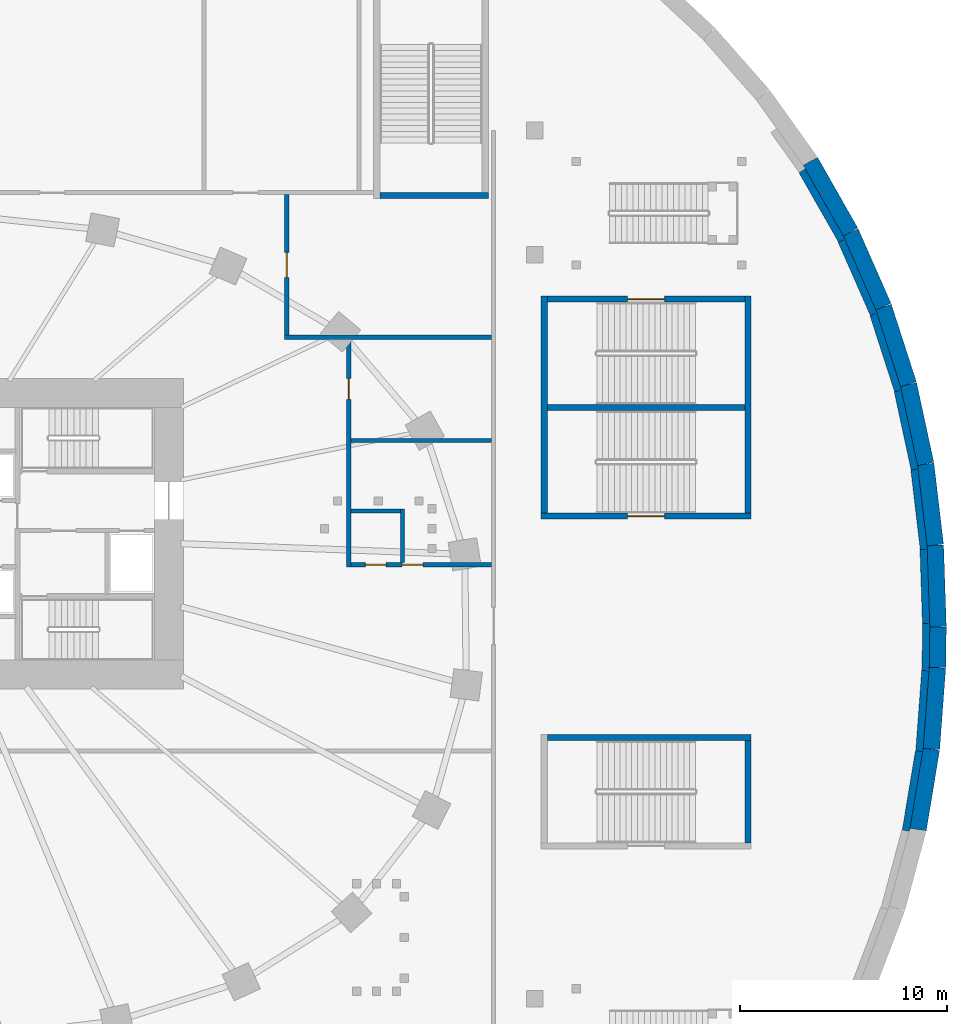
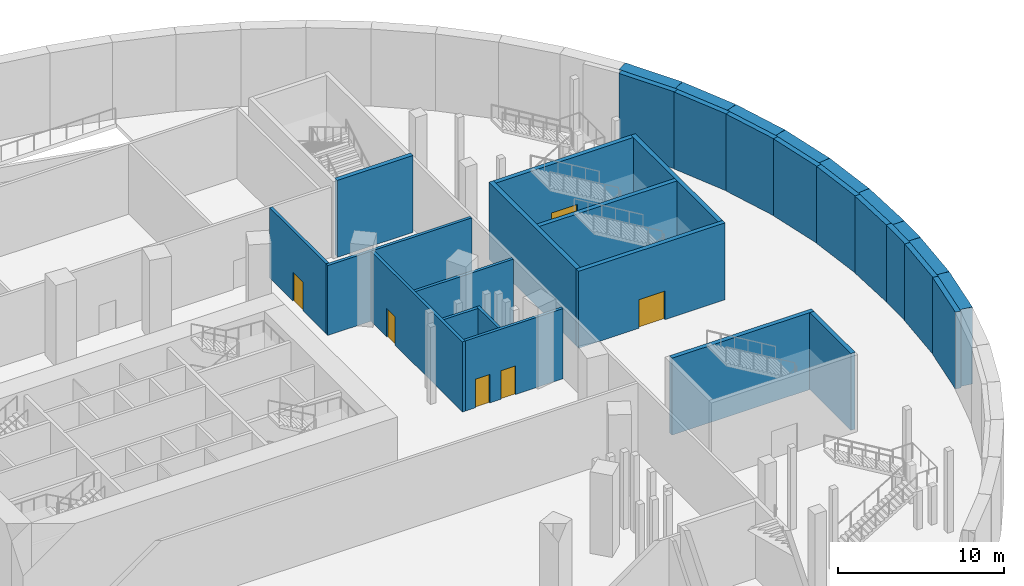
# One storey, part 8 of 19: 33 walls, 6 doors, 6 openings.
"""IFC4 building model written with IfcOpenShell, lengths in metres."""

from ifc_helpers import new_model, si_unit, direction, frame, frame_2d, origin, place, context, subcontext, project, spatial, rectangle, extrude, material, layer, layer_set, type_object, element, fill, save


model = new_model("IFC4")

# Units and contexts
model_context = context("Model", 3, precision=1e-05, world=origin(), true_north=direction((0.0, 1.0)))
body_context = subcontext(model_context, "Body", "Model", "MODEL_VIEW")
ifc_project = project(units=[si_unit("LENGTHUNIT", "METRE"), si_unit("AREAUNIT", "SQUARE_METRE"), si_unit("VOLUMEUNIT", "CUBIC_METRE"), si_unit("PLANEANGLEUNIT", "RADIAN"), si_unit("MASSUNIT", "GRAM", prefix="KILO")], contexts=[model_context])

# Site, building, storey
site_placement = place(None, origin())
site = spatial("IfcSite", under=ifc_project, at=site_placement, CompositionType="ELEMENT")
building_placement = place(site_placement, origin())
building = spatial("IfcBuilding", under=site, at=building_placement, Name="Rubra Terraces Tower", CompositionType="ELEMENT")
storey_placement = place(building_placement, frame((0.0, 0.0, -6.0)))
storey = spatial("IfcBuildingStorey", under=building, at=storey_placement, Name="B1", CompositionType="ELEMENT", Elevation=-6.0)

# Walls
ifc_material_1 = material(Name="Concrete C40", Category="concrete")
ifc_layer_1 = layer(ifc_material_1, 0.800048828125)
ifc_layer_set_1 = layer_set([ifc_layer_1], Name="Concrete C40")
wall_type_1 = type_object("IfcWallType", Name="BASEMENT WALL 800", PredefinedType="SOLIDWALL", material=ifc_layer_set_1)
wall_1_placement = place(storey_placement, frame((49.5, -0.00390625, 0.0), z_axis=(0.0, 0.0, 1.0), x_axis=(-0.01474436979, -0.999891295871, 0.0)))
element("IfcWall", 1, at=wall_1_placement, inside=storey, type_object=wall_type_1, Name="wall-B1-basement-001", PredefinedType="SOLIDWALL", context=body_context, shape_type="SweptSolid", body=[
    extrude(rectangle(XDim=1.970458984375, YDim=0.800048828125, at=frame_2d((0.9853515625, 0.0))), origin(), (0.0, 0.0, 1.0), 5.64990234375),
])
wall_2_placement = place(storey_placement, frame((49.470947265625, -1.97412109375, 0.0), z_axis=(0.0, 0.0, 1.0), x_axis=(-0.074099136605, -0.997250880147, 0.0)))
element("IfcWall", 2, at=wall_2_placement, inside=storey, type_object=wall_type_1, Name="wall-B1-basement-002", PredefinedType="SOLIDWALL", context=body_context, shape_type="SweptSolid", body=[
    extrude(rectangle(XDim=3.953857421875, YDim=0.800048828125, at=frame_2d((1.97705078125, 0.0))), origin(), (0.0, 0.0, 1.0), 5.64990234375),
])
wall_3_placement = place(storey_placement, frame((49.177978515625, -5.9169921875, 0.0), z_axis=(0.0, 0.0, 1.0), x_axis=(-0.163455839826, -0.986550651729, 0.0)))
element("IfcWall", 3, at=wall_3_placement, inside=storey, type_object=wall_type_1, Name="wall-B1-basement-003", PredefinedType="SOLIDWALL", context=body_context, shape_type="SweptSolid", body=[
    extrude(rectangle(XDim=3.946044921875, YDim=0.800048828125, at=frame_2d((1.97314453125, 0.0))), origin(), (0.0, 0.0, 1.0), 5.64990234375),
])
wall_4_placement = place(storey_placement, frame((43.320068359375, 22.513916015625, 0.0), z_axis=(0.0, 0.0, 1.0), x_axis=(0.494650889592, -0.869091765825, 0.0)))
element("IfcWall", 4, at=wall_4_placement, inside=storey, type_object=wall_type_1, Name="wall-B1-basement-070", PredefinedType="SOLIDWALL", context=body_context, shape_type="SweptSolid", body=[
    extrude(rectangle(XDim=3.942138671875, YDim=0.800048828125, at=frame_2d((1.97119140625, 0.0))), origin(), (0.0, 0.0, 1.0), 5.64990234375),
])
wall_5_placement = place(storey_placement, frame((45.27001953125, 19.087890625, 0.0), z_axis=(0.0, 0.0, 1.0), x_axis=(0.402825786485, -0.915276671691, 0.0)))
element("IfcWall", 5, at=wall_5_placement, inside=storey, type_object=wall_type_1, Name="wall-B1-basement-071", PredefinedType="SOLIDWALL", context=body_context, shape_type="SweptSolid", body=[
    extrude(rectangle(XDim=3.94189453125, YDim=0.800048828125, at=frame_2d((1.970947265625, 0.0))), origin(), (0.0, 0.0, 1.0), 5.64990234375),
])
wall_6_placement = place(storey_placement, frame((46.85791015625, 15.47998046875, 0.0), z_axis=(0.0, 0.0, 1.0), x_axis=(0.307131205026, -0.951667180741, 0.0)))
element("IfcWall", 6, at=wall_6_placement, inside=storey, type_object=wall_type_1, Name="wall-B1-basement-072", PredefinedType="SOLIDWALL", context=body_context, shape_type="SweptSolid", body=[
    extrude(rectangle(XDim=3.943603515625, YDim=0.800048828125, at=frame_2d((1.9716796875, 0.0))), origin(), (0.0, 0.0, 1.0), 5.64990234375),
])
wall_7_placement = place(storey_placement, frame((48.069091796875, 11.72705078125, 0.0), z_axis=(0.0, 0.0, 1.0), x_axis=(0.211211318585, -0.977440422175, 0.0)))
element("IfcWall", 7, at=wall_7_placement, inside=storey, type_object=wall_type_1, Name="wall-B1-basement-073", PredefinedType="SOLIDWALL", context=body_context, shape_type="SweptSolid", body=[
    extrude(rectangle(XDim=3.94384765625, YDim=0.800048828125, at=frame_2d((1.971923828125, 0.0))), origin(), (0.0, 0.0, 1.0), 5.64990234375),
])
wall_8_placement = place(storey_placement, frame((48.902099609375, 7.8720703125, 0.0), z_axis=(0.0, 0.0, 1.0), x_axis=(0.117752618561, -0.99304296021, 0.0)))
element("IfcWall", 8, at=wall_8_placement, inside=storey, type_object=wall_type_1, Name="wall-B1-basement-074", PredefinedType="SOLIDWALL", context=body_context, shape_type="SweptSolid", body=[
    extrude(rectangle(XDim=3.947509765625, YDim=0.800048828125, at=frame_2d((1.9736328125, 0.0))), origin(), (0.0, 0.0, 1.0), 5.64990234375),
])
wall_9_placement = place(storey_placement, frame((49.366943359375, 3.951904296875, 0.0), z_axis=(0.0, 0.0, 1.0), x_axis=(0.03361673547, -0.999434797821, 0.0)))
element("IfcWall", 9, at=wall_9_placement, inside=storey, type_object=wall_type_1, Name="wall-B1-basement-075", PredefinedType="SOLIDWALL", context=body_context, shape_type="SweptSolid", body=[
    extrude(rectangle(XDim=3.9580078125, YDim=0.800048828125, at=frame_2d((1.97900390625, 0.0))), origin(), (0.0, 0.0, 1.0), 5.64990234375),
])

# Wall, opening, door
ifc_material_2 = material(Name="Blockwork", Category="masonry")
ifc_layer_2 = layer(ifc_material_2, 0.199951171875)
ifc_layer_set_2 = layer_set([ifc_layer_2], Name="Blockwork")
wall_type_2 = type_object("IfcWallType", Name="Corridor partition 200 blockwork", PredefinedType="PARTITIONING", material=ifc_layer_set_2)
wall_10_placement = place(storey_placement, frame((21.0, 13.89990234375, 0.0), z_axis=(0.0, 0.0, 1.0), x_axis=(0.0, -1.0, 0.0)))
wall_10 = element("IfcWall", 10, at=wall_10_placement, inside=storey, type_object=wall_type_2, Name="Partition wall", PredefinedType="PARTITIONING", context=body_context, shape_type="SweptSolid", body=[
    extrude(rectangle(XDim=11.0, YDim=0.199951171875, at=frame_2d((5.5, 0.0))), origin(), (0.0, 0.0, 1.0), 5.14794921875),
])
opening_1_placement = place(wall_10_placement, frame((1.89990234375, 0.0, 0.0)))
opening_1 = element("IfcOpeningElement", 11, at=opening_1_placement, cuts=wall_10, Name="Opening DB1", PredefinedType="OPENING", context=body_context, shape_type="SweptSolid", body=[
    extrude(rectangle(XDim=1.0, YDim=2.10009765625, at=frame_2d((0.5, 1.050048828125))), frame((0.0, 0.10986328125, 0.0), z_axis=(0.0, -1.0, 0.0), x_axis=(1.0, 0.0, 0.0)), (0.0, 0.0, 1.0), 0.219970703125),
])
ifc_material_3 = material(Name="Painted timber", Category="wood")
door_type_1 = type_object("IfcDoorType", Name="Door 1000x2100 single", OperationType="NOTDEFINED", PredefinedType="DOOR", material=ifc_material_3)
door_1_placement = place(opening_1_placement, origin())
door_1 = element("IfcDoor", 12, at=door_1_placement, inside=storey, type_object=door_type_1, Name="Door B1-10", OperationType="SINGLE_SWING_LEFT", OverallHeight=2.10009765625, OverallWidth=1.0, PredefinedType="DOOR", context=body_context, shape_type="SweptSolid", body=[
    extrude(rectangle(XDim=1.0, YDim=2.10009765625, at=frame_2d((0.5, 1.050048828125))), frame((0.0, 0.02490234375, 0.0), z_axis=(0.0, -1.0, 0.0), x_axis=(1.0, 0.0, 0.0)), (0.0, 0.0, 1.0), 0.050048828125),
])
fill(opening_1, door_1)

wall_11_placement = place(storey_placement, frame((18.0, 14.10009765625, 0.0), z_axis=(0.0, 0.0, 1.0), x_axis=(0.0, 1.0, 0.0)))
wall_11 = element("IfcWall", 13, at=wall_11_placement, inside=storey, type_object=wall_type_2, Name="Partition wall", PredefinedType="PARTITIONING", context=body_context, shape_type="SweptSolid", body=[
    extrude(rectangle(XDim=6.7998046875, YDim=0.199951171875, at=frame_2d((3.39990234375, 0.0))), origin(), (0.0, 0.0, 1.0), 5.14794921875),
])
opening_2_placement = place(wall_11_placement, frame((2.800048828125, 0.0, 0.0)))
opening_2 = element("IfcOpeningElement", 14, at=opening_2_placement, cuts=wall_11, Name="Opening DB7", PredefinedType="OPENING", context=body_context, shape_type="SweptSolid", body=[
    extrude(rectangle(XDim=1.199951171875, YDim=2.10009765625, at=frame_2d((0.60009765625, 1.050048828125))), frame((0.0, 0.10986328125, 0.0), z_axis=(0.0, -1.0, 0.0), x_axis=(1.0, 0.0, 0.0)), (0.0, 0.0, 1.0), 0.219970703125),
])
door_type_2 = type_object("IfcDoorType", Name="Door 1200x2100 single", OperationType="NOTDEFINED", PredefinedType="DOOR", material=ifc_material_3)
door_2_placement = place(opening_2_placement, origin())
door_2 = element("IfcDoor", 15, at=door_2_placement, inside=storey, type_object=door_type_2, Name="Door B1-13", OperationType="SINGLE_SWING_LEFT", OverallHeight=2.10009765625, OverallWidth=1.199951171875, PredefinedType="DOOR", context=body_context, shape_type="SweptSolid", body=[
    extrude(rectangle(XDim=1.199951171875, YDim=2.10009765625, at=frame_2d((0.60009765625, 1.050048828125))), frame((0.0, 0.02490234375, 0.0), z_axis=(0.0, -1.0, 0.0), x_axis=(1.0, 0.0, 0.0)), (0.0, 0.0, 1.0), 0.050048828125),
])
fill(opening_2, door_2)

# Wall, openings, doors
wall_12_placement = place(storey_placement, frame((21.10009765625, 3.0, 0.0), z_axis=(0.0, 0.0, 1.0), x_axis=(1.0, 0.0, 0.0)))
wall_12 = element("IfcWall", 16, at=wall_12_placement, inside=storey, type_object=wall_type_2, Name="Partition wall", PredefinedType="PARTITIONING", context=body_context, shape_type="SweptSolid", body=[
    extrude(rectangle(XDim=6.7998046875, YDim=0.199951171875, at=frame_2d((3.39990234375, 0.0))), origin(), (0.0, 0.0, 1.0), 5.14794921875),
])
opening_3_placement = place(wall_12_placement, frame((0.699951171875, 0.0, 0.0)))
opening_3 = element("IfcOpeningElement", 17, at=opening_3_placement, cuts=wall_12, Name="Opening DB1", PredefinedType="OPENING", context=body_context, shape_type="SweptSolid", body=[
    extrude(rectangle(XDim=1.0, YDim=2.10009765625, at=frame_2d((0.5, 1.050048828125))), frame((0.0, 0.10986328125, 0.0), z_axis=(0.0, -1.0, 0.0), x_axis=(1.0, 0.0, 0.0)), (0.0, 0.0, 1.0), 0.219970703125),
])
opening_4_placement = place(wall_12_placement, frame((2.48291015625, 0.0, 0.0)))
opening_4 = element("IfcOpeningElement", 18, at=opening_4_placement, cuts=wall_12, Name="Opening DB1", PredefinedType="OPENING", context=body_context, shape_type="SweptSolid", body=[
    extrude(rectangle(XDim=1.0, YDim=2.10009765625, at=frame_2d((0.5, 1.050048828125))), frame((0.0, 0.10986328125, 0.0), z_axis=(0.0, -1.0, 0.0), x_axis=(1.0, 0.0, 0.0)), (0.0, 0.0, 1.0), 0.219970703125),
])
door_3_placement = place(opening_3_placement, origin())
door_3 = element("IfcDoor", 19, at=door_3_placement, inside=storey, type_object=door_type_1, Name="Door B1-11", OperationType="SINGLE_SWING_LEFT", OverallHeight=2.10009765625, OverallWidth=1.0, PredefinedType="DOOR", context=body_context, shape_type="SweptSolid", body=[
    extrude(rectangle(XDim=1.0, YDim=2.10009765625, at=frame_2d((0.5, 1.050048828125))), frame((0.0, 0.02490234375, 0.0), z_axis=(0.0, -1.0, 0.0), x_axis=(1.0, 0.0, 0.0)), (0.0, 0.0, 1.0), 0.050048828125),
])
fill(opening_3, door_3)
door_4_placement = place(opening_4_placement, origin())
door_4 = element("IfcDoor", 20, at=door_4_placement, inside=storey, type_object=door_type_1, Name="Door B1-15", OperationType="SINGLE_SWING_LEFT", OverallHeight=2.10009765625, OverallWidth=1.0, PredefinedType="DOOR", context=body_context, shape_type="SweptSolid", body=[
    extrude(rectangle(XDim=1.0, YDim=2.10009765625, at=frame_2d((0.5, 1.050048828125))), frame((0.0, 0.02490234375, 0.0), z_axis=(0.0, -1.0, 0.0), x_axis=(1.0, 0.0, 0.0)), (0.0, 0.0, 1.0), 0.050048828125),
])
fill(opening_4, door_4)

# Walls
ifc_material_4 = material(Name="Concrete C40/50", Category="concrete")
ifc_layer_3 = layer(ifc_material_4, 0.35009765625)
ifc_layer_set_3 = layer_set([ifc_layer_3], Name="Concrete C40/50")
wall_type_3 = type_object("IfcWallType", Name="Retaining liner wall 350 concrete", PredefinedType="SOLIDWALL", material=ifc_layer_set_3)
wall_13_placement = place(storey_placement, frame((48.927978515625, 0.166015625, 0.0), z_axis=(0.0, 0.0, 1.0), x_axis=(-0.014817136525, -0.999890220207, 0.0)))
element("IfcWall", 21, at=wall_13_placement, inside=storey, type_object=wall_type_3, Name="Retaining liner wall", PredefinedType="SOLIDWALL", context=body_context, shape_type="SweptSolid", body=[
    extrude(rectangle(XDim=2.290283203125, YDim=0.35009765625, at=frame_2d((1.14501953125, 0.0))), origin(), (0.0, 0.0, 1.0), 5.64990234375),
])
wall_14_placement = place(storey_placement, frame((48.884033203125, -2.1240234375, 0.0), z_axis=(0.0, 0.0, 1.0), x_axis=(-0.074166028436, -0.997245907601, 0.0)))
element("IfcWall", 22, at=wall_14_placement, inside=storey, type_object=wall_type_3, Name="Retaining liner wall", PredefinedType="SOLIDWALL", context=body_context, shape_type="SweptSolid", body=[
    extrude(rectangle(XDim=3.91064453125, YDim=0.35009765625, at=frame_2d((1.955322265625, 0.0))), origin(), (0.0, 0.0, 1.0), 5.64990234375),
])
wall_15_placement = place(storey_placement, frame((48.577880859375, -6.02197265625, 0.0), z_axis=(0.0, 0.0, 1.0), x_axis=(-0.163676638442, -0.986514043503, 0.0)))
element("IfcWall", 23, at=wall_15_placement, inside=storey, type_object=wall_type_3, Name="Retaining liner wall", PredefinedType="SOLIDWALL", context=body_context, shape_type="SweptSolid", body=[
    extrude(rectangle(XDim=3.8916015625, YDim=0.35009765625, at=frame_2d((1.94580078125, 0.0))), origin(), (0.0, 0.0, 1.0), 5.64990234375),
])
wall_16_placement = place(storey_placement, frame((42.9208984375, 22.052001953125, 0.0), z_axis=(0.0, 0.0, 1.0), x_axis=(0.494886084707, -0.868957860407, 0.0)))
element("IfcWall", 24, at=wall_16_placement, inside=storey, type_object=wall_type_3, Name="Retaining liner wall", PredefinedType="SOLIDWALL", context=body_context, shape_type="SweptSolid", body=[
    extrude(rectangle(XDim=3.884033203125, YDim=0.35009765625, at=frame_2d((1.94189453125, 0.0))), origin(), (0.0, 0.0, 1.0), 5.64990234375),
])
wall_17_placement = place(storey_placement, frame((44.825927734375, 18.6689453125, 0.0), z_axis=(0.0, 0.0, 1.0), x_axis=(0.402576343075, -0.915386414579, 0.0)))
element("IfcWall", 25, at=wall_17_placement, inside=storey, type_object=wall_type_3, Name="Retaining liner wall", PredefinedType="SOLIDWALL", context=body_context, shape_type="SweptSolid", body=[
    extrude(rectangle(XDim=3.882568359375, YDim=0.35009765625, at=frame_2d((1.94140625, 0.0))), origin(), (0.0, 0.0, 1.0), 5.64990234375),
])
wall_18_placement = place(storey_placement, frame((46.373046875, 15.10791015625, 0.0), z_axis=(0.0, 0.0, 1.0), x_axis=(0.307296540479, -0.951613806231, 0.0)))
element("IfcWall", 26, at=wall_18_placement, inside=storey, type_object=wall_type_3, Name="Retaining liner wall", PredefinedType="SOLIDWALL", context=body_context, shape_type="SweptSolid", body=[
    extrude(rectangle(XDim=3.885009765625, YDim=0.35009765625, at=frame_2d((1.9423828125, 0.0))), origin(), (0.0, 0.0, 1.0), 5.64990234375),
])
wall_19_placement = place(storey_placement, frame((47.550048828125, 11.406982421875, 0.0), z_axis=(0.0, 0.0, 1.0), x_axis=(0.211136643088, -0.977456555528, 0.0)))
element("IfcWall", 27, at=wall_19_placement, inside=storey, type_object=wall_type_3, Name="Retaining liner wall", PredefinedType="SOLIDWALL", context=body_context, shape_type="SweptSolid", body=[
    extrude(rectangle(XDim=3.888671875, YDim=0.35009765625, at=frame_2d((1.9443359375, 0.0))), origin(), (0.0, 0.0, 1.0), 5.64990234375),
])
wall_20_placement = place(storey_placement, frame((48.35498046875, 7.60302734375, 0.0), z_axis=(0.0, 0.0, 1.0), x_axis=(0.117800983167, -0.993037224058, 0.0)))
element("IfcWall", 28, at=wall_20_placement, inside=storey, type_object=wall_type_3, Name="Retaining liner wall", PredefinedType="SOLIDWALL", context=body_context, shape_type="SweptSolid", body=[
    extrude(rectangle(XDim=3.896240234375, YDim=0.35009765625, at=frame_2d((1.9482421875, 0.0))), origin(), (0.0, 0.0, 1.0), 5.64990234375),
])
wall_21_placement = place(storey_placement, frame((48.799072265625, 3.73291015625, 0.0), z_axis=(0.0, 0.0, 1.0), x_axis=(0.033588155888, -0.999435758708, 0.0)))
element("IfcWall", 29, at=wall_21_placement, inside=storey, type_object=wall_type_3, Name="Retaining liner wall", PredefinedType="SOLIDWALL", context=body_context, shape_type="SweptSolid", body=[
    extrude(rectangle(XDim=3.56884765625, YDim=0.35009765625, at=frame_2d((1.784423828125, 0.0))), origin(), (0.0, 0.0, 1.0), 5.64990234375),
])
ifc_layer_4 = layer(ifc_material_2, 0.199951171875)
ifc_layer_set_4 = layer_set([ifc_layer_4], Name="Blockwork")
wall_type_4 = type_object("IfcWallType", Name="Room partition 200 blockwork", PredefinedType="PARTITIONING", material=ifc_layer_set_4)
wall_22_placement = place(storey_placement, frame((27.89990234375, 14.0, 0.0), z_axis=(0.0, 0.0, 1.0), x_axis=(-1.0, 0.0, 0.0)))
element("IfcWall", 30, at=wall_22_placement, inside=storey, type_object=wall_type_4, Name="Partition wall", PredefinedType="PARTITIONING", context=body_context, shape_type="SweptSolid", body=[
    extrude(rectangle(XDim=10.0, YDim=0.199951171875, at=frame_2d((5.0, 0.0))), origin(), (0.0, 0.0, 1.0), 5.134033203125),
])
wall_23_placement = place(storey_placement, frame((21.10009765625, 9.0, 0.0), z_axis=(0.0, 0.0, 1.0), x_axis=(1.0, 0.0, 0.0)))
element("IfcWall", 31, at=wall_23_placement, inside=storey, type_object=wall_type_4, Name="Partition wall", PredefinedType="PARTITIONING", context=body_context, shape_type="SweptSolid", body=[
    extrude(rectangle(XDim=6.7998046875, YDim=0.199951171875, at=frame_2d((3.39990234375, 0.0))), origin(), (0.0, 0.0, 1.0), 5.134033203125),
])
wall_24_placement = place(storey_placement, frame((23.60009765625, 3.10009765625, 0.0), z_axis=(0.0, 0.0, 1.0), x_axis=(0.0, 1.0, 0.0)))
element("IfcWall", 32, at=wall_24_placement, inside=storey, type_object=wall_type_4, Name="Partition wall", PredefinedType="PARTITIONING", context=body_context, shape_type="SweptSolid", body=[
    extrude(rectangle(XDim=2.599853515625, YDim=0.199951171875, at=frame_2d((1.2998046875, 0.0))), origin(), (0.0, 0.0, 1.0), 5.134033203125),
])
wall_25_placement = place(storey_placement, frame((23.5, 5.60009765625, 0.0), z_axis=(0.0, 0.0, 1.0), x_axis=(-1.0, 0.0, 0.0)))
element("IfcWall", 33, at=wall_25_placement, inside=storey, type_object=wall_type_4, Name="Partition wall", PredefinedType="PARTITIONING", context=body_context, shape_type="SweptSolid", body=[
    extrude(rectangle(XDim=2.39990234375, YDim=0.199951171875, at=frame_2d((1.199951171875, 0.0))), origin(), (0.0, 0.0, 1.0), 5.134033203125),
])
ifc_layer_5 = layer(ifc_material_4, 0.300048828125)
ifc_layer_set_5 = layer_set([ifc_layer_5], Name="Concrete C40/50")
wall_type_5 = type_object("IfcWallType", Name="Stair shaft wall 300 concrete", PredefinedType="SOLIDWALL", material=ifc_layer_set_5)
wall_26_placement = place(storey_placement, frame((22.5, 20.85009765625, 0.0), z_axis=(0.0, 0.0, 1.0), x_axis=(1.0, 0.0, 0.0)))
element("IfcWall", 34, at=wall_26_placement, inside=storey, type_object=wall_type_5, Name="Stair shaft wall", PredefinedType="SOLIDWALL", context=body_context, shape_type="SweptSolid", body=[
    extrude(rectangle(XDim=5.25, YDim=0.300048828125, at=frame_2d((2.625, 0.0))), origin(), (0.0, 0.0, 1.0), 5.64990234375),
])

# Wall, opening, door
wall_27_placement = place(storey_placement, frame((40.4599609375, 5.35009765625, 0.0), z_axis=(0.0, 0.0, 1.0), x_axis=(-1.0, 0.0, 0.0)))
wall_27 = element("IfcWall", 35, at=wall_27_placement, inside=storey, type_object=wall_type_5, Name="Stair shaft wall", PredefinedType="SOLIDWALL", context=body_context, shape_type="SweptSolid", body=[
    extrude(rectangle(XDim=10.159912109375, YDim=0.300048828125, at=frame_2d((5.080078125, 0.0))), origin(), (0.0, 0.0, 1.0), 5.64990234375),
])
opening_5_placement = place(wall_27_placement, frame((4.179931640625, 0.0, 0.0)))
opening_5 = element("IfcOpeningElement", 36, at=opening_5_placement, cuts=wall_27, Name="Opening DB3", PredefinedType="OPENING", context=body_context, shape_type="SweptSolid", body=[
    extrude(rectangle(XDim=1.800048828125, YDim=2.10009765625, at=frame_2d((0.89990234375, 1.050048828125))), frame((0.0, 0.159912109375, 0.0), z_axis=(0.0, -1.0, 0.0), x_axis=(1.0, 0.0, 0.0)), (0.0, 0.0, 1.0), 0.320068359375),
])
ifc_material_5 = material(Name="Painted steel", Category="steel")
door_type_3 = type_object("IfcDoorType", Name="Door 1800x2100 double", OperationType="NOTDEFINED", PredefinedType="DOOR", material=ifc_material_5)
door_5_placement = place(opening_5_placement, origin())
door_5 = element("IfcDoor", 37, at=door_5_placement, inside=storey, type_object=door_type_3, Name="Stair door B1-16", OperationType="DOUBLE_DOOR_SINGLE_SWING", OverallHeight=2.10009765625, OverallWidth=1.800048828125, PredefinedType="DOOR", context=body_context, shape_type="SweptSolid", body=[
    extrude(rectangle(XDim=1.800048828125, YDim=2.10009765625, at=frame_2d((0.89990234375, 1.050048828125))), frame((0.0, 0.02490234375, 0.0), z_axis=(0.0, -1.0, 0.0), x_axis=(1.0, 0.0, 0.0)), (0.0, 0.0, 1.0), 0.050048828125),
])
fill(opening_5, door_5)

# Walls
wall_28_placement = place(storey_placement, frame((30.449951171875, 5.5, 0.0), z_axis=(0.0, 0.0, 1.0), x_axis=(0.0, 1.0, 0.0)))
element("IfcWall", 38, at=wall_28_placement, inside=storey, type_object=wall_type_5, Name="Stair shaft wall", PredefinedType="SOLIDWALL", context=body_context, shape_type="SweptSolid", body=[
    extrude(rectangle(XDim=10.5, YDim=0.300048828125, at=frame_2d((5.25, 0.0))), origin(), (0.0, 0.0, 1.0), 5.64990234375),
])
wall_29_placement = place(storey_placement, frame((30.60009765625, 10.60009765625, 0.0), z_axis=(0.0, 0.0, 1.0), x_axis=(1.0, 0.0, 0.0)))
element("IfcWall", 39, at=wall_29_placement, inside=storey, type_object=wall_type_5, Name="Stair shaft wall", PredefinedType="SOLIDWALL", context=body_context, shape_type="SweptSolid", body=[
    extrude(rectangle(XDim=9.559814453125, YDim=0.300048828125, at=frame_2d((4.77978515625, 0.0))), origin(), (0.0, 0.0, 1.0), 5.64990234375),
])
wall_30_placement = place(storey_placement, frame((40.31005859375, 16.0, 0.0), z_axis=(0.0, 0.0, 1.0), x_axis=(0.0, -1.0, 0.0)))
element("IfcWall", 40, at=wall_30_placement, inside=storey, type_object=wall_type_5, Name="Stair shaft wall", PredefinedType="SOLIDWALL", context=body_context, shape_type="SweptSolid", body=[
    extrude(rectangle(XDim=10.5, YDim=0.300048828125, at=frame_2d((5.25, 0.0))), origin(), (0.0, 0.0, 1.0), 5.64990234375),
])
wall_31_placement = place(storey_placement, frame((30.60009765625, -5.35009765625, 0.0), z_axis=(0.0, 0.0, 1.0), x_axis=(1.0, 0.0, 0.0)))
element("IfcWall", 41, at=wall_31_placement, inside=storey, type_object=wall_type_5, Name="Stair shaft wall", PredefinedType="SOLIDWALL", context=body_context, shape_type="SweptSolid", body=[
    extrude(rectangle(XDim=9.85986328125, YDim=0.300048828125, at=frame_2d((4.929931640625, 0.0))), origin(), (0.0, 0.0, 1.0), 5.64990234375),
])
wall_32_placement = place(storey_placement, frame((40.31005859375, -5.5, 0.0), z_axis=(0.0, 0.0, 1.0), x_axis=(0.0, -1.0, 0.0)))
element("IfcWall", 42, at=wall_32_placement, inside=storey, type_object=wall_type_5, Name="Stair shaft wall", PredefinedType="SOLIDWALL", context=body_context, shape_type="SweptSolid", body=[
    extrude(rectangle(XDim=4.949951171875, YDim=0.300048828125, at=frame_2d((2.47509765625, 0.0))), origin(), (0.0, 0.0, 1.0), 5.64990234375),
])

# Wall, opening, door
wall_33_placement = place(storey_placement, frame((30.60009765625, 15.85009765625, 0.0), z_axis=(0.0, 0.0, 1.0), x_axis=(1.0, 0.0, 0.0)))
wall_33 = element("IfcWall", 43, at=wall_33_placement, inside=storey, type_object=wall_type_5, Name="Stair shaft wall", PredefinedType="SOLIDWALL", context=body_context, shape_type="SweptSolid", body=[
    extrude(rectangle(XDim=9.559814453125, YDim=0.300048828125, at=frame_2d((4.77978515625, 0.0))), origin(), (0.0, 0.0, 1.0), 5.64990234375),
])
opening_6_placement = place(wall_33_placement, frame((3.8798828125, 0.0, 0.0)))
opening_6 = element("IfcOpeningElement", 44, at=opening_6_placement, cuts=wall_33, Name="Opening DB3", PredefinedType="OPENING", context=body_context, shape_type="SweptSolid", body=[
    extrude(rectangle(XDim=1.800048828125, YDim=2.10009765625, at=frame_2d((0.89990234375, 1.050048828125))), frame((0.0, 0.159912109375, 0.0), z_axis=(0.0, -1.0, 0.0), x_axis=(1.0, 0.0, 0.0)), (0.0, 0.0, 1.0), 0.320068359375),
])
door_6_placement = place(opening_6_placement, origin())
door_6 = element("IfcDoor", 45, at=door_6_placement, inside=storey, type_object=door_type_3, Name="Stair door B1-20", OperationType="DOUBLE_DOOR_SINGLE_SWING", OverallHeight=2.10009765625, OverallWidth=1.800048828125, PredefinedType="DOOR", context=body_context, shape_type="SweptSolid", body=[
    extrude(rectangle(XDim=1.800048828125, YDim=2.10009765625, at=frame_2d((0.89990234375, 1.050048828125))), frame((0.0, 0.02490234375, 0.0), z_axis=(0.0, -1.0, 0.0), x_axis=(1.0, 0.0, 0.0)), (0.0, 0.0, 1.0), 0.050048828125),
])
fill(opening_6, door_6)

save(model, "model.ifc")
